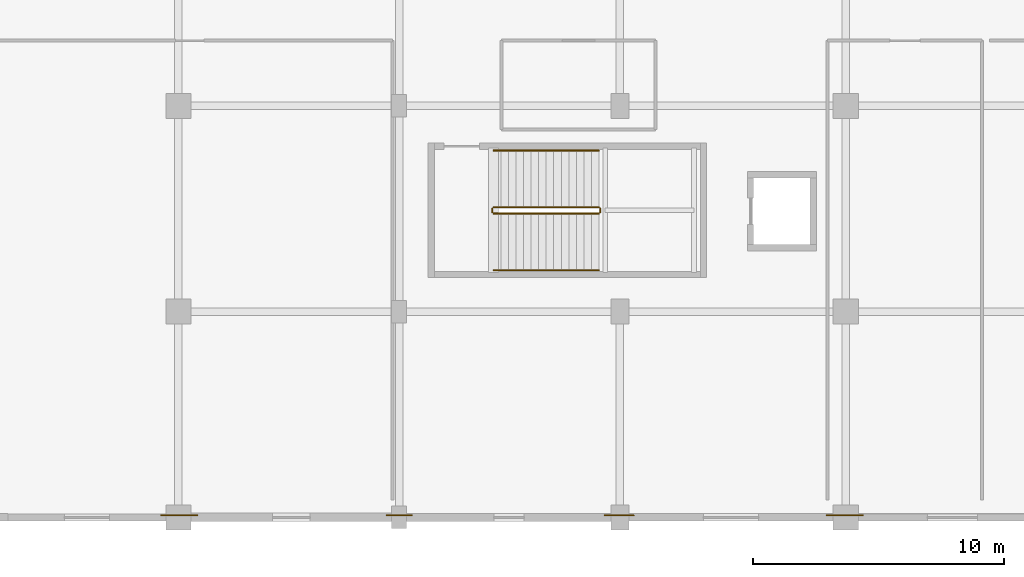
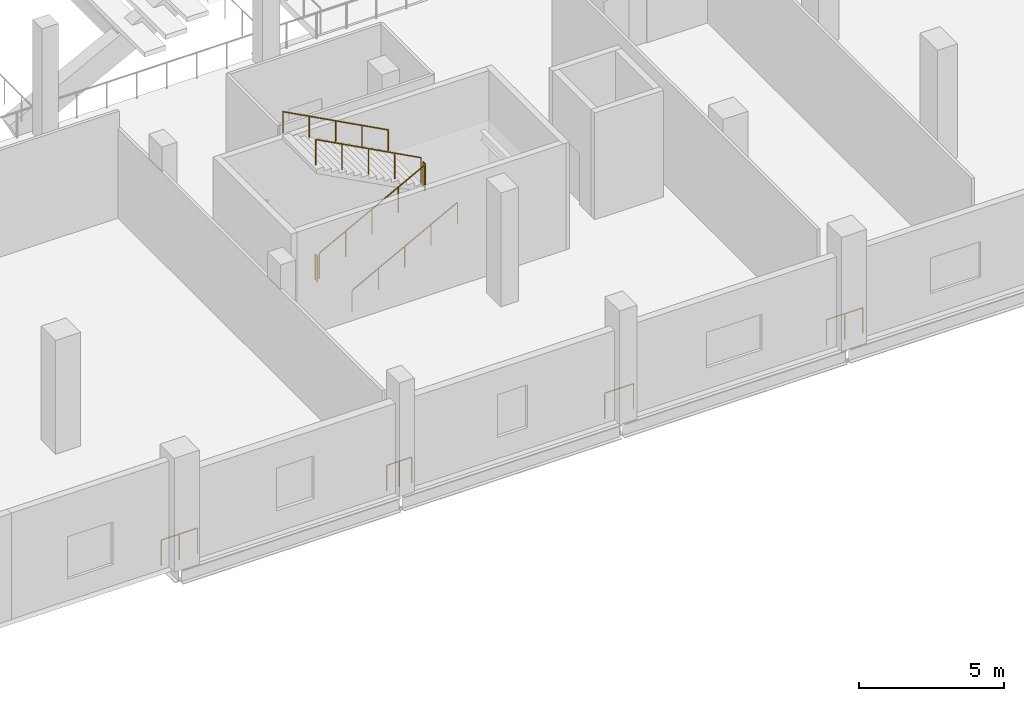
# One storey, part 64 of 74: 11 railings.
"""IFC4 building model written with IfcOpenShell, lengths in metres."""

from ifc_helpers import new_model, si_unit, direction, frame, origin, origin_2d, place, context, subcontext, project, spatial, circle, extrude, material, type_object, element, save


model = new_model("IFC4")

# Units and contexts
model_context = context("Model", 3, precision=1e-05, world=origin(), true_north=direction((0.0, 1.0)))
body_context = subcontext(model_context, "Body", "Model", "MODEL_VIEW")
ifc_project = project(units=[si_unit("LENGTHUNIT", "METRE"), si_unit("AREAUNIT", "SQUARE_METRE"), si_unit("VOLUMEUNIT", "CUBIC_METRE"), si_unit("PLANEANGLEUNIT", "RADIAN"), si_unit("MASSUNIT", "GRAM", prefix="KILO")], contexts=[model_context])

# Site, building, storey
site_placement = place(None, origin())
site = spatial("IfcSite", under=ifc_project, at=site_placement, CompositionType="ELEMENT")
building_placement = place(site_placement, origin())
building = spatial("IfcBuilding", under=site, at=building_placement, Name="Koshinbarg Plaza Stadium", CompositionType="ELEMENT")
storey_placement = place(building_placement, frame((0.0, 0.0, 15.0)))
storey = spatial("IfcBuildingStorey", under=building, at=storey_placement, Name="L03", CompositionType="ELEMENT", Elevation=15.0)

# Railings
ifc_material_1 = material(Name="Toughened laminated glass and stainless steel sightline balustrade", Category="steel")
railing_type_1 = type_object("IfcRailingType", Name="RL-BOWL-1100", PredefinedType="BALUSTRADE", material=ifc_material_1)
railing_1_placement = place(storey_placement, frame((171.60009765625, 0.080078125, 0.0)))
element("IfcRailing", 1, at=railing_1_placement, inside=storey, type_object=railing_type_1, Name="L03 deck edge safety balustrade 0268", PredefinedType="BALUSTRADE", context=body_context, shape_type="SweptSolid", body=[
    extrude(circle(Radius=0.02392578125, at=origin_2d()), frame((0.0, 0.0, 1.076171875), z_axis=(-1.0, 0.0, 0.0), x_axis=(0.0, -1.0, 0.0)), (0.0, 0.0, 1.0), 0.499755859375),
    extrude(circle(Radius=0.02099609375, at=origin_2d()), origin(), (0.0, 0.0, 1.0), 1.052001953125),
    extrude(circle(Radius=0.02099609375, at=origin_2d()), frame((-0.499755859375, 0.0, 0.0)), (0.0, 0.0, 1.0), 1.052001953125),
])
for number, where, name in (
    (2, (163.558349609375, 0.080078125, 0.0), "L03 deck edge safety balustrade 0269"),
    (3, (190.08251953125, 0.080078125, 0.0), "L03 deck edge safety balustrade 0273"),
):
    element("IfcRailing", number, at=place(storey_placement, frame(where)), inside=storey, type_object=railing_type_1, Name=name, PredefinedType="BALUSTRADE", context=body_context, shape_type="SweptSolid", body=[
        extrude(circle(Radius=0.02392578125, at=origin_2d()), frame((0.0, 0.0, 1.076171875), z_axis=(-1.0, 0.0, 0.0), x_axis=(0.0, -1.0, 0.0)), (0.0, 0.0, 1.0), 1.448974609375),
        extrude(circle(Radius=0.02099609375, at=origin_2d()), origin(), (0.0, 0.0, 1.0), 1.052001953125),
        extrude(circle(Radius=0.02099609375, at=origin_2d()), frame((-0.724609375, 0.0, 0.0)), (0.0, 0.0, 1.0), 1.052001953125),
        extrude(circle(Radius=0.02099609375, at=origin_2d()), frame((-1.448974609375, 0.0, 0.0)), (0.0, 0.0, 1.0), 1.052001953125),
    ])
railing_2_placement = place(storey_placement, frame((180.94140625, 0.080078125, 0.0)))
element("IfcRailing", 4, at=railing_2_placement, inside=storey, type_object=railing_type_1, Name="L03 deck edge safety balustrade 0274", PredefinedType="BALUSTRADE", context=body_context, shape_type="SweptSolid", body=[
    extrude(circle(Radius=0.02392578125, at=origin_2d()), frame((0.0, 0.0, 1.076171875), z_axis=(-1.0, 0.0, 0.0), x_axis=(0.0, -1.0, 0.0)), (0.0, 0.0, 1.0), 1.1494140625),
    extrude(circle(Radius=0.02099609375, at=origin_2d()), origin(), (0.0, 0.0, 1.0), 1.052001953125),
    extrude(circle(Radius=0.02099609375, at=origin_2d()), frame((-1.1494140625, 0.0, 0.0)), (0.0, 0.0, 1.0), 1.052001953125),
])
railing_3_placement = place(storey_placement, frame((172.099609375, 0.080078125, 0.0)))
element("IfcRailing", 5, at=railing_3_placement, inside=storey, type_object=railing_type_1, Name="L03 deck edge safety balustrade 0275", PredefinedType="BALUSTRADE", context=body_context, shape_type="SweptSolid", body=[
    extrude(circle(Radius=0.02392578125, at=origin_2d()), frame((0.0, 0.0, 1.076171875), z_axis=(-1.0, 0.0, 0.0), x_axis=(0.0, -1.0, 0.0)), (0.0, 0.0, 1.0), 0.49951171875),
    extrude(circle(Radius=0.02099609375, at=origin_2d()), origin(), (0.0, 0.0, 1.0), 1.052001953125),
    extrude(circle(Radius=0.02099609375, at=origin_2d()), frame((-0.49951171875, 0.0, 0.0)), (0.0, 0.0, 1.0), 1.052001953125),
])
ifc_material_2 = material(Name="Galvanized painted steel guardrail", Category="steel")
railing_type_2 = type_object("IfcRailingType", Name="RL-GUARD-1100", PredefinedType="GUARDRAIL", material=ifc_material_2)
railing_4_placement = place(storey_placement, frame((175.360107421875, 12.110107421875, 0.159912109375)))
element("IfcRailing", 6, at=railing_4_placement, inside=storey, type_object=railing_type_2, Name="L03 C14 stair guard 1", PredefinedType="GUARDRAIL", context=body_context, shape_type="SweptSolid", body=[
    extrude(circle(Radius=0.02392578125, at=origin_2d()), frame((0.0, 0.0, 1.076171875), z_axis=(0.882351521365, 0.0, 0.470590897432), x_axis=(0.0, 1.0, 0.0)), (0.0, 0.0, 1.0), 4.760009765625),
    extrude(circle(Radius=0.02099609375, at=origin_2d()), origin(), (0.0, 0.0, 1.0), 1.052001953125),
    extrude(circle(Radius=0.02099609375, at=origin_2d()), frame((1.050048828125, 0.0, 0.56005859375)), (0.0, 0.0, 1.0), 1.052001953125),
    extrude(circle(Radius=0.02099609375, at=origin_2d()), frame((2.10009765625, 0.0, 1.1201171875)), (0.0, 0.0, 1.0), 1.052001953125),
    extrude(circle(Radius=0.02099609375, at=origin_2d()), frame((3.14990234375, 0.0, 1.679931640625)), (0.0, 0.0, 1.0), 1.052001953125),
    extrude(circle(Radius=0.02099609375, at=origin_2d()), frame((4.199951171875, 0.0, 2.239990234375)), (0.0, 0.0, 1.0), 1.052001953125),
])
railing_5_placement = place(storey_placement, frame((179.610107421875, 12.159912109375, 2.39990234375)))
element("IfcRailing", 7, at=railing_5_placement, inside=storey, type_object=railing_type_2, Name="L03 C14 stair guard 2", PredefinedType="GUARDRAIL", context=body_context, shape_type="SweptSolid", body=[
    extrude(circle(Radius=0.02392578125, at=origin_2d()), frame((0.0, 0.0, 1.076171875), z_axis=(0.0, 1.0, 0.0), x_axis=(-1.0, 0.0, 0.0)), (0.0, 0.0, 1.0), 0.150146484375),
    extrude(circle(Radius=0.02099609375, at=origin_2d()), origin(), (0.0, 0.0, 1.0), 1.052001953125),
    extrude(circle(Radius=0.02099609375, at=origin_2d()), frame((0.0, 0.150146484375, 0.0)), (0.0, 0.0, 1.0), 1.052001953125),
])
railing_6_placement = place(storey_placement, frame((179.56005859375, 12.360107421875, 2.56005859375)))
element("IfcRailing", 8, at=railing_6_placement, inside=storey, type_object=railing_type_2, Name="L03 C14 stair guard 3", PredefinedType="GUARDRAIL", context=body_context, shape_type="SweptSolid", body=[
    extrude(circle(Radius=0.02392578125, at=origin_2d()), frame((0.0, 0.0, 1.076171875), z_axis=(-0.882351521365, 0.0, 0.470590897432), x_axis=(0.0, -1.0, 0.0)), (0.0, 0.0, 1.0), 4.760009765625),
    extrude(circle(Radius=0.02099609375, at=origin_2d()), origin(), (0.0, 0.0, 1.0), 1.052001953125),
    extrude(circle(Radius=0.02099609375, at=origin_2d()), frame((-1.050048828125, 0.0, 0.56005859375)), (0.0, 0.0, 1.0), 1.052001953125),
    extrude(circle(Radius=0.02099609375, at=origin_2d()), frame((-2.10009765625, 0.0, 1.1201171875)), (0.0, 0.0, 1.0), 1.052001953125),
    extrude(circle(Radius=0.02099609375, at=origin_2d()), frame((-3.14990234375, 0.0, 1.679931640625)), (0.0, 0.0, 1.0), 1.052001953125),
    extrude(circle(Radius=0.02099609375, at=origin_2d()), frame((-4.199951171875, 0.0, 2.239990234375)), (0.0, 0.0, 1.0), 1.052001953125),
])
railing_7_placement = place(storey_placement, frame((175.31005859375, 12.159912109375, 0.0)))
element("IfcRailing", 9, at=railing_7_placement, inside=storey, type_object=railing_type_2, Name="L03 C14 stair guard 4", PredefinedType="GUARDRAIL", context=body_context, shape_type="SweptSolid", body=[
    extrude(circle(Radius=0.02392578125, at=origin_2d()), frame((0.0, 0.0, 1.076171875), z_axis=(0.0, 1.0, 0.0), x_axis=(-1.0, 0.0, 0.0)), (0.0, 0.0, 1.0), 0.150146484375),
    extrude(circle(Radius=0.02099609375, at=origin_2d()), origin(), (0.0, 0.0, 1.0), 1.052001953125),
    extrude(circle(Radius=0.02099609375, at=origin_2d()), frame((0.0, 0.150146484375, 0.0)), (0.0, 0.0, 1.0), 1.052001953125),
])
ifc_material_3 = material(Name="Brushed stainless steel handrail", Category="steel")
railing_type_3 = type_object("IfcRailingType", Name="RL-HAND-900", PredefinedType="HANDRAIL", material=ifc_material_3)
railing_8_placement = place(storey_placement, frame((175.360107421875, 9.85009765625, 0.159912109375)))
element("IfcRailing", 10, at=railing_8_placement, inside=storey, type_object=railing_type_3, Name="L03 C14 stair handrail 1", PredefinedType="HANDRAIL", context=body_context, shape_type="SweptSolid", body=[
    extrude(circle(Radius=0.02392578125, at=origin_2d()), frame((0.0, 0.0, 0.8759765625), z_axis=(0.882351521365, 0.0, 0.470590897432), x_axis=(0.0, 1.0, 0.0)), (0.0, 0.0, 1.0), 4.760009765625),
    extrude(circle(Radius=0.02099609375, at=origin_2d()), origin(), (0.0, 0.0, 1.0), 0.851806640625),
    extrude(circle(Radius=0.02099609375, at=origin_2d()), frame((1.050048828125, 0.0, 0.56005859375)), (0.0, 0.0, 1.0), 0.851806640625),
    extrude(circle(Radius=0.02099609375, at=origin_2d()), frame((2.10009765625, 0.0, 1.1201171875)), (0.0, 0.0, 1.0), 0.851806640625),
    extrude(circle(Radius=0.02099609375, at=origin_2d()), frame((3.14990234375, 0.0, 1.679931640625)), (0.0, 0.0, 1.0), 0.851806640625),
    extrude(circle(Radius=0.02099609375, at=origin_2d()), frame((4.199951171875, 0.0, 2.239990234375)), (0.0, 0.0, 1.0), 0.851806640625),
])
railing_9_placement = place(storey_placement, frame((179.56005859375, 14.6201171875, 2.56005859375)))
element("IfcRailing", 11, at=railing_9_placement, inside=storey, type_object=railing_type_3, Name="L03 C14 stair handrail 2", PredefinedType="HANDRAIL", context=body_context, shape_type="SweptSolid", body=[
    extrude(circle(Radius=0.02392578125, at=origin_2d()), frame((0.0, 0.0, 0.8759765625), z_axis=(-0.882351521365, 0.0, 0.470590897432), x_axis=(0.0, -1.0, 0.0)), (0.0, 0.0, 1.0), 4.760009765625),
    extrude(circle(Radius=0.02099609375, at=origin_2d()), origin(), (0.0, 0.0, 1.0), 0.851806640625),
    extrude(circle(Radius=0.02099609375, at=origin_2d()), frame((-1.050048828125, 0.0, 0.56005859375)), (0.0, 0.0, 1.0), 0.851806640625),
    extrude(circle(Radius=0.02099609375, at=origin_2d()), frame((-2.10009765625, 0.0, 1.1201171875)), (0.0, 0.0, 1.0), 0.851806640625),
    extrude(circle(Radius=0.02099609375, at=origin_2d()), frame((-3.14990234375, 0.0, 1.679931640625)), (0.0, 0.0, 1.0), 0.851806640625),
    extrude(circle(Radius=0.02099609375, at=origin_2d()), frame((-4.199951171875, 0.0, 2.239990234375)), (0.0, 0.0, 1.0), 0.851806640625),
])

save(model, "model.ifc")
